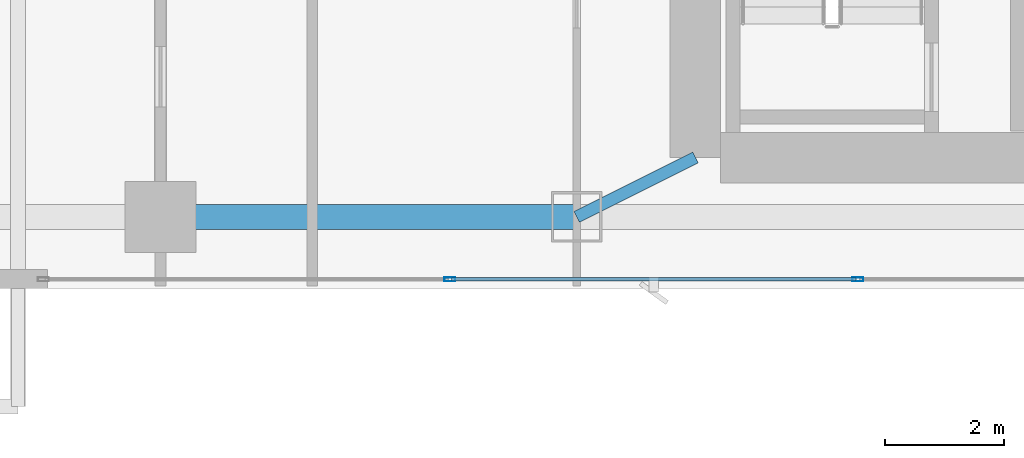
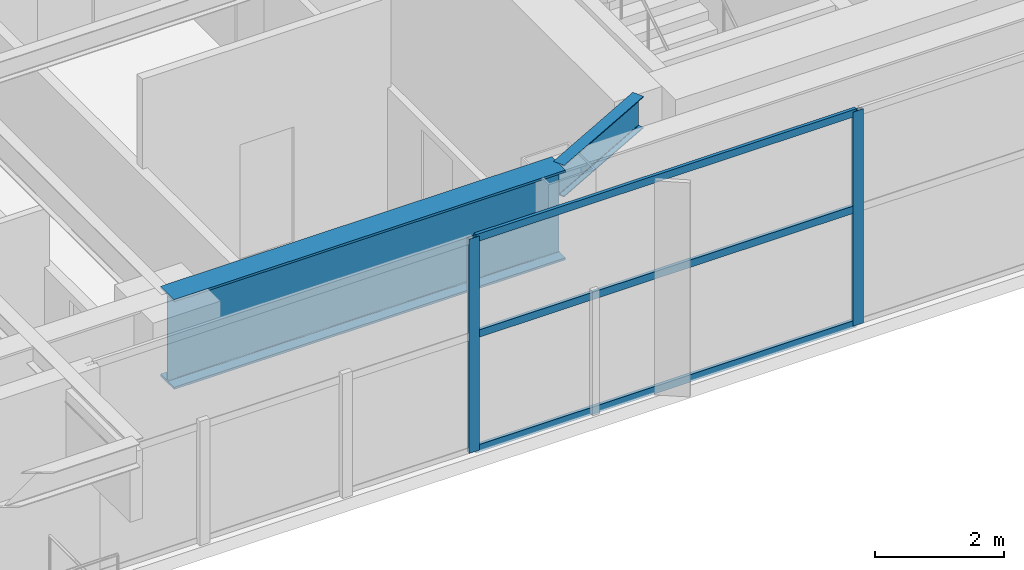
# One storey, part 6 of 30: 5 members, 2 beams, 1 element without a shape of its own.
"""IFC4 building model written with IfcOpenShell, lengths in metres."""

from ifc_helpers import new_model, si_unit, direction, frame, origin, origin_2d, place, context, subcontext, project, spatial, hollow_rectangle, i_section, extrude, material, layer, layer_set, material_profile, profile_set, type_object, element, aggregate, save


model = new_model("IFC4")

# Units and contexts
model_context = context("Model", 3, precision=1e-05, world=origin(), true_north=direction((0.0, 1.0)))
body_context = subcontext(model_context, "Body", "Model", "MODEL_VIEW")
ifc_project = project(units=[si_unit("LENGTHUNIT", "METRE"), si_unit("AREAUNIT", "SQUARE_METRE"), si_unit("VOLUMEUNIT", "CUBIC_METRE"), si_unit("PLANEANGLEUNIT", "RADIAN"), si_unit("MASSUNIT", "GRAM", prefix="KILO")], contexts=[model_context])

# Site, building, storey
site_placement = place(None, origin())
site = spatial("IfcSite", under=ifc_project, at=site_placement, CompositionType="ELEMENT")
building_placement = place(site_placement, origin())
building = spatial("IfcBuilding", under=site, at=building_placement, Name="Calvorn Quay Hotel", CompositionType="ELEMENT")
storey_placement = place(building_placement, frame((0.0, 0.0, 195.10009765625)))
storey = spatial("IfcBuildingStorey", under=building, at=storey_placement, Name="L48", CompositionType="ELEMENT", Elevation=195.10009765625)

# Beams
ifc_material_1 = material(Name="Steel Q355B", Category="steel")
ifc_material_profile_1 = material_profile(ifc_material_1, i_section(OverallWidth=0.199951171875, OverallDepth=0.60009765625, WebThickness=0.010986328125, FlangeThickness=0.01708984375, FilletRadius=0.01806640625, at=origin_2d()), Name="HN600x200x11x17")
ifc_profile_set_1 = profile_set([ifc_material_profile_1], Name="Steel Q355B")
beam_type_1 = type_object("IfcBeamType", Name="BM-GIRD-TYP", PredefinedType="BEAM", material=ifc_profile_set_1)
beam_1_placement = place(storey_placement, frame((19.60009765625, 3.60009765625, 3.75), z_axis=(0.894427191, 0.4472135955, 0.0), x_axis=(-0.4472135955, 0.894427191, 0.0)))
element("IfcBeam", 1, at=beam_1_placement, inside=storey, type_object=beam_type_1, Name="Beam BG-L48-S2", PredefinedType="BEAM", context=body_context, shape_type="SweptSolid", body=[
    extrude(i_section(OverallWidth=0.199951171875, OverallDepth=0.60009765625, WebThickness=0.010986328125, FlangeThickness=0.01708984375, FilletRadius=0.01806640625, at=origin_2d()), origin(), (0.0, 0.0, 1.0), 2.236083984375),
])
ifc_material_2 = material(Name="Steel Q420GJC", Category="steel")
ifc_material_profile_2 = material_profile(ifc_material_2, i_section(OverallWidth=0.419921875, OverallDepth=1.699951171875, WebThickness=0.02392578125, FlangeThickness=0.0419921875, FilletRadius=0.02392578125, at=origin_2d()), Name="HN1700x420x24x42")
ifc_profile_set_2 = profile_set([ifc_material_profile_2], Name="Steel Q420GJC")
beam_type_2 = type_object("IfcBeamType", Name="BM-XFER-SAWTOOTH", PredefinedType="BEAM", material=ifc_profile_set_2)
beam_2_placement = place(storey_placement, frame((12.60009765625, 3.60009765625, 3.199951171875), z_axis=(1.0, 0.0, 0.0), x_axis=(0.0, 1.0, 0.0)))
element("IfcBeam", 2, at=beam_2_placement, inside=storey, type_object=beam_type_2, Name="Beam BSP-L48-S2", PredefinedType="BEAM", context=body_context, shape_type="SweptSolid", body=[
    extrude(i_section(OverallWidth=0.419921875, OverallDepth=1.699951171875, WebThickness=0.02392578125, FlangeThickness=0.0419921875, FilletRadius=0.02392578125, at=origin_2d()), origin(), (0.0, 0.0, 1.0), 7.0),
])

# Curtain wall, members
ifc_material_3 = material(Name="Champagne Bronze Anodised Aluminium and Low-E Glass", Category="aluminium")
ifc_layer = layer(ifc_material_3, 0.219970703125)
ifc_layer_set = layer_set([ifc_layer], Name="CW-SYS-Z3")
curtain_wall_type = type_object("IfcCurtainWallType", Name="CW-SYS-Z3", PredefinedType="NOTDEFINED", material=ifc_layer_set)
curtain_wall_placement = place(storey_placement, origin())
curtain_wall = element("IfcCurtainWall", 3, at=curtain_wall_placement, inside=storey, type_object=curtain_wall_type, Name="Tower South Waterfront Curtain Wall (L48)", PredefinedType="NOTDEFINED")
ifc_material_4 = material(Name="Champagne Bronze Anodised Aluminium 6063-T6", Category="aluminium")
ifc_material_profile_3 = material_profile(ifc_material_4, hollow_rectangle(XDim=0.068115234375, YDim=0.18505859375, WallThickness=0.00390625, at=origin_2d()), Name="ALU-M185x68x4")
ifc_profile_set_3 = profile_set([ifc_material_profile_3], Name="Champagne Bronze Anodised Aluminium 6063-T6")
member_type_1 = type_object("IfcMemberType", Name="CW-SYS-Z3-MUL", PredefinedType="MULLION", material=ifc_profile_set_3)
member_1_placement = place(storey_placement, frame((17.466552734375, 2.550048828125, 0.0), z_axis=(0.0, 0.0, 1.0), x_axis=(0.0, 1.0, 0.0)))
member_1 = element("IfcMember", 4, at=member_1_placement, type_object=member_type_1, Name="CW-L48-S mullion 2", PredefinedType="MULLION", context=body_context, shape_type="SweptSolid", body=[
    extrude(hollow_rectangle(XDim=0.068115234375, YDim=0.18505859375, WallThickness=0.00390625, at=origin_2d()), origin(), (0.0, 0.0, 1.0), 4.0498046875),
])
member_2_placement = place(storey_placement, frame((24.333251953125, 2.550048828125, 0.0), z_axis=(0.0, 0.0, 1.0), x_axis=(0.0, 1.0, 0.0)))
member_2 = element("IfcMember", 5, at=member_2_placement, type_object=member_type_1, Name="CW-L48-S mullion 3", PredefinedType="MULLION", context=body_context, shape_type="SweptSolid", body=[
    extrude(hollow_rectangle(XDim=0.068115234375, YDim=0.18505859375, WallThickness=0.00390625, at=origin_2d()), origin(), (0.0, 0.0, 1.0), 4.0498046875),
])
ifc_material_5 = material(Name="Champagne Bronze Anodised Aluminium 6063-T6", Category="aluminium")
ifc_material_profile_4 = material_profile(ifc_material_5, hollow_rectangle(XDim=0.05810546875, YDim=0.139892578125, WallThickness=0.003173828125, at=origin_2d()), Name="ALU-T140x58x3.2")
ifc_profile_set_4 = profile_set([ifc_material_profile_4], Name="Champagne Bronze Anodised Aluminium 6063-T6")
member_type_2 = type_object("IfcMemberType", Name="CW-SYS-Z3-TRN", PredefinedType="USERDEFINED", material=ifc_profile_set_4)
member_3_placement = place(storey_placement, frame((17.49658203125, 2.550048828125, 0.02978515625), z_axis=(1.0, 0.0, 0.0), x_axis=(0.0, 1.0, 0.0)))
member_3 = element("IfcMember", 6, at=member_3_placement, type_object=member_type_2, Name="CW-L48-S transom 2.1", ObjectType="TRANSOM", PredefinedType="USERDEFINED", context=body_context, shape_type="SweptSolid", body=[
    extrude(hollow_rectangle(XDim=0.05810546875, YDim=0.139892578125, WallThickness=0.003173828125, at=origin_2d()), origin(), (0.0, 0.0, 1.0), 6.806640625),
])
member_4_placement = place(storey_placement, frame((17.49658203125, 2.550048828125, 2.199951171875), z_axis=(1.0, 0.0, 0.0), x_axis=(0.0, 1.0, 0.0)))
member_4 = element("IfcMember", 7, at=member_4_placement, type_object=member_type_2, Name="CW-L48-S transom 2.2", ObjectType="TRANSOM", PredefinedType="USERDEFINED", context=body_context, shape_type="SweptSolid", body=[
    extrude(hollow_rectangle(XDim=0.05810546875, YDim=0.139892578125, WallThickness=0.003173828125, at=origin_2d()), origin(), (0.0, 0.0, 1.0), 6.806640625),
])
member_5_placement = place(storey_placement, frame((17.49658203125, 2.550048828125, 4.02001953125), z_axis=(1.0, 0.0, 0.0), x_axis=(0.0, 1.0, 0.0)))
member_5 = element("IfcMember", 8, at=member_5_placement, type_object=member_type_2, Name="CW-L48-S transom 2.3", ObjectType="TRANSOM", PredefinedType="USERDEFINED", context=body_context, shape_type="SweptSolid", body=[
    extrude(hollow_rectangle(XDim=0.05810546875, YDim=0.139892578125, WallThickness=0.003173828125, at=origin_2d()), origin(), (0.0, 0.0, 1.0), 6.806640625),
])
aggregate(curtain_wall, [member_1, member_2, member_3, member_4, member_5])

save(model, "model.ifc")
